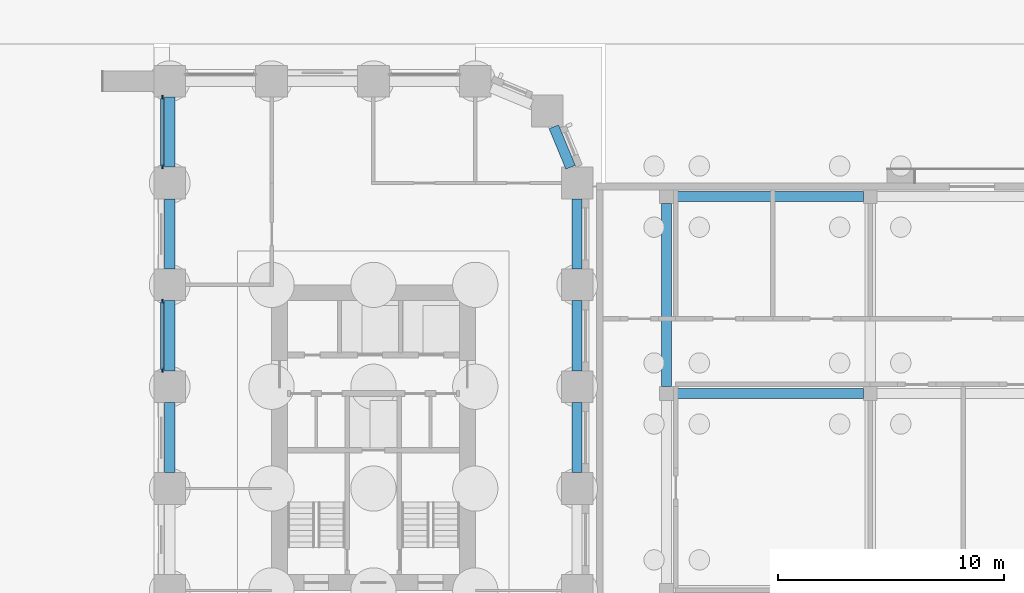
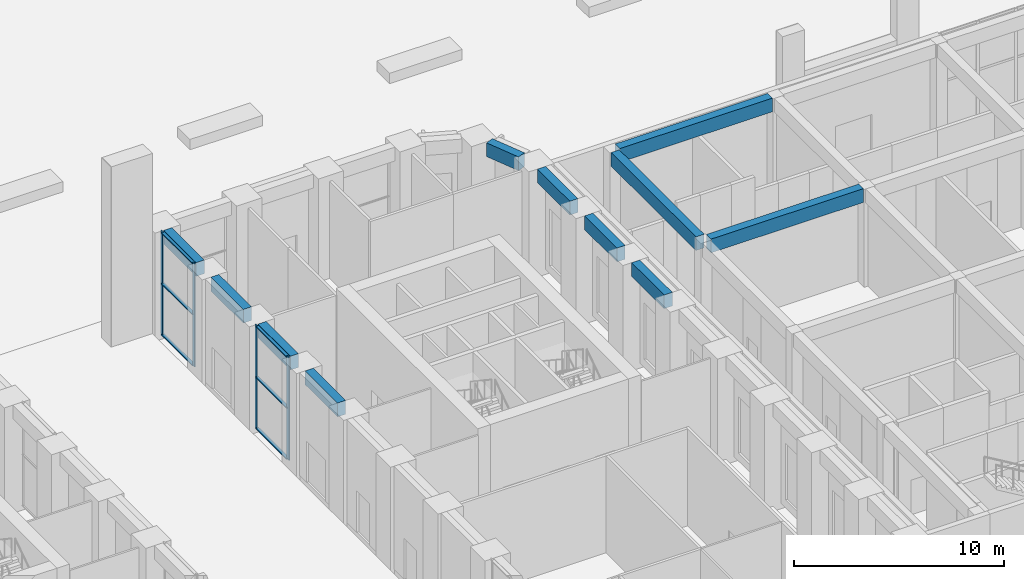
# One storey, part 7 of 31: 11 beams, 10 members, 2 elements without a shape of their own.
"""IFC4 building model written with IfcOpenShell, lengths in metres."""

from ifc_helpers import new_model, si_unit, direction, frame, origin, origin_2d, place, context, subcontext, project, spatial, rectangle, extrude, material, material_profile, profile_set, type_object, element, aggregate, save


model = new_model("IFC4")

# Units and contexts
model_context = context("Model", 3, precision=1e-05, world=origin(), true_north=direction((0.0, 1.0)))
body_context = subcontext(model_context, "Body", "Model", "MODEL_VIEW")
ifc_project = project(units=[si_unit("LENGTHUNIT", "METRE"), si_unit("AREAUNIT", "SQUARE_METRE"), si_unit("VOLUMEUNIT", "CUBIC_METRE"), si_unit("PLANEANGLEUNIT", "RADIAN"), si_unit("MASSUNIT", "GRAM", prefix="KILO")], contexts=[model_context])

# Site, building, storey
site_placement = place(None, origin())
site = spatial("IfcSite", under=ifc_project, at=site_placement, CompositionType="ELEMENT")
building_placement = place(site_placement, origin())
building = spatial("IfcBuilding", under=site, at=building_placement, Name="Girih Gate Residences", CompositionType="ELEMENT")
storey_placement = place(building_placement, origin())
storey = spatial("IfcBuildingStorey", under=building, at=storey_placement, Name="L00", CompositionType="ELEMENT", Elevation=0.0)

# Curtain wall, members
ifc_material_1 = material(Name="Aluminium curtain wall frame", Category="aluminium")
curtain_wall_type = type_object("IfcCurtainWallType", Name="Curtain wall CW-1 arcade glazing", PredefinedType="NOTDEFINED", material=ifc_material_1)
curtain_wall_1_placement = place(storey_placement, origin())
curtain_wall_1 = element("IfcCurtainWall", 1, at=curtain_wall_1_placement, inside=storey, type_object=curtain_wall_type, Name="CW-1 Arcade glazing W0315_0495.0", PredefinedType="NOTDEFINED")
ifc_material_profile_1 = material_profile(ifc_material_1, rectangle(XDim=0.06005859375, YDim=0.199951171875, at=origin_2d()))
ifc_profile_set_1 = profile_set([ifc_material_profile_1], Name="Aluminium curtain wall frame")
member_type_1 = type_object("IfcMemberType", Name="Curtain wall mullion 60x200", PredefinedType="MULLION", material=ifc_profile_set_1)
member_1_placement = place(storey_placement, frame((31.175048828125, 48.77001953125, 0.0), z_axis=(0.0, 0.0, 1.0), x_axis=(1.0, 0.0, 0.0)))
member_1 = element("IfcMember", 2, at=member_1_placement, type_object=member_type_1, Name="CW-1 mullion 1", PredefinedType="MULLION", context=body_context, shape_type="SweptSolid", body=[
    extrude(rectangle(XDim=0.06005859375, YDim=0.199951171875, at=origin_2d()), origin(), (0.0, 0.0, 1.0), 6.0),
])
member_2_placement = place(storey_placement, frame((31.175048828125, 45.72998046875, 0.0), z_axis=(0.0, 0.0, 1.0), x_axis=(1.0, 0.0, 0.0)))
member_2 = element("IfcMember", 3, at=member_2_placement, type_object=member_type_1, Name="CW-1 mullion 2", PredefinedType="MULLION", context=body_context, shape_type="SweptSolid", body=[
    extrude(rectangle(XDim=0.06005859375, YDim=0.199951171875, at=origin_2d()), origin(), (0.0, 0.0, 1.0), 6.0),
])

curtain_wall_2_placement = place(storey_placement, origin())
curtain_wall_2 = element("IfcCurtainWall", 4, at=curtain_wall_2_placement, inside=storey, type_object=curtain_wall_type, Name="CW-1 Arcade glazing W0315_0495.2", PredefinedType="NOTDEFINED")
member_3_placement = place(storey_placement, frame((31.175048828125, 39.77001953125, 0.0), z_axis=(0.0, 0.0, 1.0), x_axis=(1.0, 0.0, 0.0)))
member_3 = element("IfcMember", 5, at=member_3_placement, type_object=member_type_1, Name="CW-1 mullion 1", PredefinedType="MULLION", context=body_context, shape_type="SweptSolid", body=[
    extrude(rectangle(XDim=0.06005859375, YDim=0.199951171875, at=origin_2d()), origin(), (0.0, 0.0, 1.0), 6.0),
])
member_4_placement = place(storey_placement, frame((31.175048828125, 36.72998046875, 0.0), z_axis=(0.0, 0.0, 1.0), x_axis=(1.0, 0.0, 0.0)))
member_4 = element("IfcMember", 6, at=member_4_placement, type_object=member_type_1, Name="CW-1 mullion 2", PredefinedType="MULLION", context=body_context, shape_type="SweptSolid", body=[
    extrude(rectangle(XDim=0.06005859375, YDim=0.199951171875, at=origin_2d()), origin(), (0.0, 0.0, 1.0), 6.0),
])

# Member
ifc_material_profile_2 = material_profile(ifc_material_1, rectangle(XDim=0.159912109375, YDim=0.06005859375, at=origin_2d()))
ifc_profile_set_2 = profile_set([ifc_material_profile_2], Name="Aluminium curtain wall frame")
member_type_2 = type_object("IfcMemberType", Name="Curtain wall transom 60x160", PredefinedType="USERDEFINED", material=ifc_profile_set_2)
member_5_placement = place(storey_placement, frame((31.175048828125, 48.739990234375, 0.030029296875), z_axis=(0.0, -1.0, 0.0), x_axis=(1.0, 0.0, 0.0)))
member_5 = element("IfcMember", 7, at=member_5_placement, type_object=member_type_2, Name="CW-1 transom 1.1", ObjectType="TRANSOM", PredefinedType="USERDEFINED", context=body_context, shape_type="SweptSolid", body=[
    extrude(rectangle(XDim=0.159912109375, YDim=0.06005859375, at=origin_2d()), origin(), (0.0, 0.0, 1.0), 2.97998046875),
])

member_6_placement = place(storey_placement, frame((31.175048828125, 48.739990234375, 3.0), z_axis=(0.0, -1.0, 0.0), x_axis=(1.0, 0.0, 0.0)))
member_6 = element("IfcMember", 8, at=member_6_placement, type_object=member_type_2, Name="CW-1 transom 1.2", ObjectType="TRANSOM", PredefinedType="USERDEFINED", context=body_context, shape_type="SweptSolid", body=[
    extrude(rectangle(XDim=0.159912109375, YDim=0.06005859375, at=origin_2d()), origin(), (0.0, 0.0, 1.0), 2.97998046875),
])

member_7_placement = place(storey_placement, frame((31.175048828125, 48.739990234375, 5.969970703125), z_axis=(0.0, -1.0, 0.0), x_axis=(1.0, 0.0, 0.0)))
member_7 = element("IfcMember", 9, at=member_7_placement, type_object=member_type_2, Name="CW-1 transom 1.3", ObjectType="TRANSOM", PredefinedType="USERDEFINED", context=body_context, shape_type="SweptSolid", body=[
    extrude(rectangle(XDim=0.159912109375, YDim=0.06005859375, at=origin_2d()), origin(), (0.0, 0.0, 1.0), 2.97998046875),
])

aggregate(curtain_wall_1, [member_1, member_2, member_5, member_6, member_7])

member_8_placement = place(storey_placement, frame((31.175048828125, 39.739990234375, 0.030029296875), z_axis=(0.0, -1.0, 0.0), x_axis=(1.0, 0.0, 0.0)))
member_8 = element("IfcMember", 10, at=member_8_placement, type_object=member_type_2, Name="CW-1 transom 1.1", ObjectType="TRANSOM", PredefinedType="USERDEFINED", context=body_context, shape_type="SweptSolid", body=[
    extrude(rectangle(XDim=0.159912109375, YDim=0.06005859375, at=origin_2d()), origin(), (0.0, 0.0, 1.0), 2.97998046875),
])

member_9_placement = place(storey_placement, frame((31.175048828125, 39.739990234375, 3.0), z_axis=(0.0, -1.0, 0.0), x_axis=(1.0, 0.0, 0.0)))
member_9 = element("IfcMember", 11, at=member_9_placement, type_object=member_type_2, Name="CW-1 transom 1.2", ObjectType="TRANSOM", PredefinedType="USERDEFINED", context=body_context, shape_type="SweptSolid", body=[
    extrude(rectangle(XDim=0.159912109375, YDim=0.06005859375, at=origin_2d()), origin(), (0.0, 0.0, 1.0), 2.97998046875),
])

member_10_placement = place(storey_placement, frame((31.175048828125, 39.739990234375, 5.969970703125), z_axis=(0.0, -1.0, 0.0), x_axis=(1.0, 0.0, 0.0)))
member_10 = element("IfcMember", 12, at=member_10_placement, type_object=member_type_2, Name="CW-1 transom 1.3", ObjectType="TRANSOM", PredefinedType="USERDEFINED", context=body_context, shape_type="SweptSolid", body=[
    extrude(rectangle(XDim=0.159912109375, YDim=0.06005859375, at=origin_2d()), origin(), (0.0, 0.0, 1.0), 2.97998046875),
])

aggregate(curtain_wall_2, [member_3, member_4, member_8, member_9, member_10])

# Beams
ifc_material_2 = material(Name="Concrete C40/50", Category="concrete")
ifc_material_profile_3 = material_profile(ifc_material_2, rectangle(XDim=0.449951171875, YDim=0.800048828125, at=origin_2d()))
ifc_profile_set_3 = profile_set([ifc_material_profile_3], Name="Concrete C40/50")
beam_type_1 = type_object("IfcBeamType", Name="HC Beam 450x800 C40/50", PredefinedType="BEAM", material=ifc_profile_set_3)
for number, where, z_axis, x_axis, name in (
    (13, (53.75, 35.699951171875, 5.300048828125), (1.0, 0.0, 0.0), (0.0, 1.0, 0.0), "L00 beam HD.1"),
    (14, (53.75, 44.39990234375, 5.300048828125), (1.0, 0.0, 0.0), (0.0, 1.0, 0.0), "L00 beam HE.1"),
):
    element("IfcBeam", number, at=place(storey_placement, frame(where, z_axis=z_axis, x_axis=x_axis)), inside=storey, type_object=beam_type_1, Name=name, PredefinedType="BEAM", context=body_context, shape_type="SweptSolid", body=[
        extrude(rectangle(XDim=0.449951171875, YDim=0.800048828125, at=origin_2d()), origin(), (0.0, 0.0, 1.0), 8.39990234375),
    ])
beam_1_placement = place(storey_placement, frame((53.449951171875, 36.0, 5.300048828125), z_axis=(0.0, 1.0, 0.0), x_axis=(-1.0, 0.0, 0.0)))
element("IfcBeam", 15, at=beam_1_placement, inside=storey, type_object=beam_type_1, Name="L00 beam H1.4", PredefinedType="BEAM", context=body_context, shape_type="SweptSolid", body=[
    extrude(rectangle(XDim=0.449951171875, YDim=0.800048828125, at=origin_2d()), origin(), (0.0, 0.0, 1.0), 8.10009765625),
])
ifc_material_3 = material(Name="Concrete C60/75", Category="concrete")
ifc_material_profile_4 = material_profile(ifc_material_3, rectangle(XDim=0.449951171875, YDim=0.800048828125, at=origin_2d()))
ifc_profile_set_4 = profile_set([ifc_material_profile_4], Name="Concrete C60/75")
beam_type_2 = type_object("IfcBeamType", Name="Spandrel girder RC 450x800 Concrete C60/75", PredefinedType="BEAM", material=ifc_profile_set_4)
for number, where, z_axis, x_axis, name in (
    (16, (49.5, 32.199951171875, 5.60009765625), (0.0, 1.0, 0.0), (-1.0, 0.0, 0.0), "Spandrel girder SP-P12H-P12I L00"),
    (17, (49.5, 36.699951171875, 5.60009765625), (0.0, 1.0, 0.0), (-1.0, 0.0, 0.0), "Spandrel girder SP-P12I-P12J L00"),
    (18, (49.5, 41.199951171875, 5.60009765625), (0.0, 1.0, 0.0), (-1.0, 0.0, 0.0), "Spandrel girder SP-P12J-P12K L00"),
):
    element("IfcBeam", number, at=place(storey_placement, frame(where, z_axis=z_axis, x_axis=x_axis)), inside=storey, type_object=beam_type_2, Name=name, PredefinedType="BEAM", context=body_context, shape_type="SweptSolid", body=[
        extrude(rectangle(XDim=0.449951171875, YDim=0.800048828125, at=origin_2d()), origin(), (0.0, 0.0, 1.0), 3.10009765625),
    ])
beam_2_placement = place(storey_placement, frame((49.2099609375, 45.699951171875, 5.60009765625), z_axis=(-0.382646180293, 0.923894961945, 0.0), x_axis=(-0.923894961945, -0.382646180293, 0.0)))
element("IfcBeam", 19, at=beam_2_placement, inside=storey, type_object=beam_type_2, Name="Spandrel girder SP-P12K-P12LSW L00", PredefinedType="BEAM", context=body_context, shape_type="SweptSolid", body=[
    extrude(rectangle(XDim=0.449951171875, YDim=0.800048828125, at=origin_2d()), origin(), (0.0, 0.0, 1.0), 1.9287109375),
])
for number, where, z_axis, x_axis, name in (
    (20, (31.5, 48.800048828125, 5.60009765625), (0.0, -1.0, 0.0), (1.0, 0.0, 0.0), "Spandrel girder SP-P8L-P8K L00"),
    (21, (31.5, 44.300048828125, 5.60009765625), (0.0, -1.0, 0.0), (1.0, 0.0, 0.0), "Spandrel girder SP-P8K-P8J L00"),
    (22, (31.5, 39.800048828125, 5.60009765625), (0.0, -1.0, 0.0), (1.0, 0.0, 0.0), "Spandrel girder SP-P8J-P8I L00"),
    (23, (31.5, 35.300048828125, 5.60009765625), (0.0, -1.0, 0.0), (1.0, 0.0, 0.0), "Spandrel girder SP-P8I-P8H L00"),
):
    element("IfcBeam", number, at=place(storey_placement, frame(where, z_axis=z_axis, x_axis=x_axis)), inside=storey, type_object=beam_type_2, Name=name, PredefinedType="BEAM", context=body_context, shape_type="SweptSolid", body=[
        extrude(rectangle(XDim=0.449951171875, YDim=0.800048828125, at=origin_2d()), origin(), (0.0, 0.0, 1.0), 3.10009765625),
    ])

save(model, "model.ifc")
